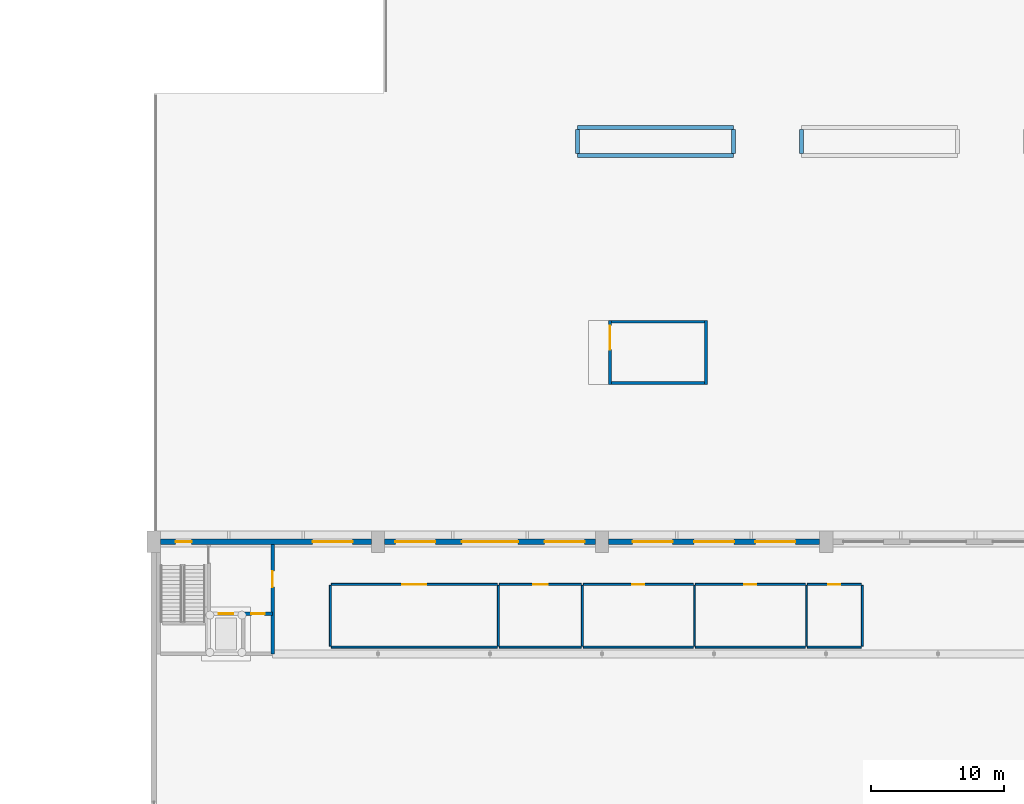
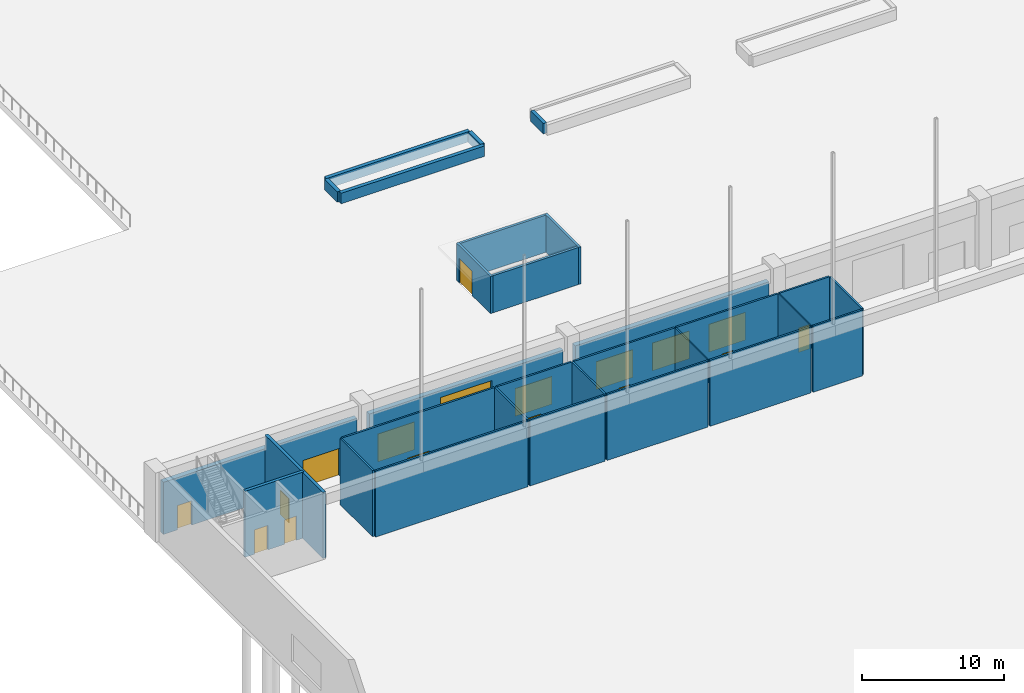
# One storey, part 115 of 210: 30 walls, 17 doors, 17 openings.
"""IFC4 building model written with IfcOpenShell, lengths in metres."""

import ifcopenshell
import ifcopenshell.guid

model = None  # the IFC model being written
_history = None  # IfcOwnerHistory: only IFC2X3 demands one
_inside = {}  # id of a spatial element -> (the spatial element, [elements in it])
_under = {}  # id of a project, library or spatial element -> (it, [spatial elements below it])
_declared = {}  # id of a project -> (the project, [libraries it declares])
_typed = {}  # id of a type object -> (the type object, [elements of that type])
_made_of = {}  # id of a material, layer set ... -> (it, [elements and type objects made of it])


def new_model(schema):
    """Start an empty IFC model of exactly this schema.

    Asked for "IFC4X3", IfcOpenShell would pick the latest addendum, in which some entities
    have other attributes; the version numbers below select the first issue.
    IFC2X3 requires an IfcOwnerHistory on every rooted entity: one is made here for all.
    """
    global model, _history
    if schema == "IFC4X3":
        model = ifcopenshell.file(schema_version=(4, 3, 0, 0))
    else:
        model = ifcopenshell.file(schema=schema)
    _inside.clear()
    _under.clear()
    _declared.clear()
    _typed.clear()
    _made_of.clear()
    _history = None
    if model.schema == "IFC2X3":
        org = make("IfcOrganization", Name="unknown")
        user = make(
            "IfcPersonAndOrganization",
            ThePerson=make("IfcPerson", FamilyName="unknown"),
            TheOrganization=org,
        )
        app = make(
            "IfcApplication",
            ApplicationDeveloper=org,
            Version="unknown",
            ApplicationFullName="unknown",
            ApplicationIdentifier="unknown",
        )
        _history = make(
            "IfcOwnerHistory",
            OwningUser=user,
            OwningApplication=app,
            ChangeAction="ADDED",
            CreationDate=0,
        )
    return model


def make(cls, **values):
    """One entity of the class cls with the attributes given. An attribute that is None is left unset."""
    return model.create_entity(
        cls, **{name: value for name, value in values.items() if value is not None}
    )


def rooted(cls, **values):
    """An entity with a GlobalId (a new one), such as an element, a storey or a relation."""
    return make(cls, GlobalId=ifcopenshell.guid.new(), OwnerHistory=_history, **values)


def si_unit(unit_type, name, prefix=None):
    """IfcSIUnit, for example si_unit("LENGTHUNIT", "METRE", prefix="MILLI")."""
    return make("IfcSIUnit", UnitType=unit_type, Prefix=prefix, Name=name)


def assignment(units):
    """IfcUnitAssignment: the units of a project."""
    return None if units is None else make("IfcUnitAssignment", Units=units)


def point(xyz):
    """IfcCartesianPoint."""
    return None if xyz is None else make("IfcCartesianPoint", Coordinates=xyz)


def direction(xyz):
    """IfcDirection."""
    return None if xyz is None else make("IfcDirection", DirectionRatios=xyz)


def frame(location, z_axis=None, x_axis=None):
    """IfcAxis2Placement3D, a coordinate frame: its origin and axes. An axis left out is left unset."""
    return make(
        "IfcAxis2Placement3D",
        Location=point(location),
        Axis=direction(z_axis),
        RefDirection=direction(x_axis),
    )


def frame_2d(location, x_axis=None):
    """IfcAxis2Placement2D, a coordinate frame in the plane: its origin and x axis."""
    return make(
        "IfcAxis2Placement2D", Location=point(location), RefDirection=direction(x_axis)
    )


def origin():
    """The frame at (0, 0, 0) with its axes left unset."""
    return frame((0.0, 0.0, 0.0))


def place(relative_to, where):
    """IfcLocalPlacement: puts the frame where relative to a parent placement (None: the world)."""
    return make(
        "IfcLocalPlacement", PlacementRelTo=relative_to, RelativePlacement=where
    )


def context(
    kind, dimensions, precision=None, world=None, true_north=None, identifier=None
):
    """IfcGeometricRepresentationContext, for example the 3D "Model" context."""
    return make(
        "IfcGeometricRepresentationContext",
        ContextIdentifier=identifier,
        ContextType=kind,
        CoordinateSpaceDimension=dimensions,
        Precision=precision,
        WorldCoordinateSystem=world,
        TrueNorth=true_north,
    )


def subcontext(parent, identifier, kind, view, scale=None):
    """IfcGeometricRepresentationSubContext, for example "Body" below "Model"."""
    return make(
        "IfcGeometricRepresentationSubContext",
        ContextIdentifier=identifier,
        ContextType=kind,
        ParentContext=parent,
        TargetScale=scale,
        TargetView=view,
    )


def project(units=None, contexts=None):
    """IfcProject with its units and contexts."""
    return rooted(
        "IfcProject",
        Name="project",
        RepresentationContexts=contexts,
        UnitsInContext=assignment(units),
    )


def spatial(cls, under=None, at=None, **own):
    """A site, building, storey or space (cls), placed at a placement, below another one or the project."""
    s = rooted(cls, ObjectPlacement=at, **own)
    if under is not None:
        _under.setdefault(under.id(), (under, []))[1].append(s)
    return s


def profile(cls, at=None, kind="AREA", **sizes):
    """A parametric profile (cls). Its sizes go by their IFC names, for example OverallWidth=200.0."""
    return make(cls, ProfileType=kind, Position=at, **sizes)


def rectangle(**sizes):
    """IfcRectangleProfileDef."""
    return profile("IfcRectangleProfileDef", **sizes)


def extrude(swept, where, along, depth):
    """IfcExtrudedAreaSolid: the profile swept, set in the frame where, extruded along a direction by depth."""
    return make(
        "IfcExtrudedAreaSolid",
        SweptArea=swept,
        Position=where,
        ExtrudedDirection=direction(along),
        Depth=depth,
    )


def shape(context_of_items, identifier, shape_type, items):
    """IfcShapeRepresentation: the items that make up one representation, for example the "Body"."""
    return make(
        "IfcShapeRepresentation",
        ContextOfItems=context_of_items,
        RepresentationIdentifier=identifier,
        RepresentationType=shape_type,
        Items=items,
    )


def material(Name=None, Category=None):
    """IfcMaterial."""
    return make("IfcMaterial", Name=Name, Category=Category)


def layer(
    of_material, thickness, ventilated=None, Name=None, Category=None, Priority=None
):
    """IfcMaterialLayer: one layer of a wall or slab, of a material (None: an air gap)."""
    return make(
        "IfcMaterialLayer",
        Material=of_material,
        LayerThickness=thickness,
        IsVentilated=ventilated,
        Name=Name,
        Category=Category,
        Priority=Priority,
    )


def layer_set(layers, Name=None):
    """IfcMaterialLayerSet."""
    return make("IfcMaterialLayerSet", MaterialLayers=layers, LayerSetName=Name)


def made_of(thing, what):
    """Note that an element or type object is made of a material, layer set ...; save() writes the relation."""
    if what is not None:
        _made_of.setdefault(what.id(), (what, []))[1].append(thing)
    return thing


def type_object(cls, material=None, **own):
    """A type object (cls), such as IfcWallType, which elements share."""
    return made_of(rooted(cls, **own), material)


def element(
    cls,
    number,
    at=None,
    inside=None,
    cuts=None,
    type_object=None,
    material=None,
    context=None,
    identifier="Body",
    shape_type=None,
    held_by="IfcProductDefinitionShape",
    body=None,
    shapes=None,
    **own,
):
    """One element of the class cls, such as IfcWall. Its Tag is "e" and its number.

    at: its placement. inside: the storey or other place that contains it. cuts: it is an
    opening in that element (IfcRelVoidsElement). A single representation is given by context,
    identifier, shape_type and body (its items); several are given by shapes. held_by: the class
    of the entity that holds the representations. save() writes the other relations.
    """
    e = rooted(cls, Tag="e%d" % number, ObjectPlacement=at, **own)
    if body is not None:
        shapes = [shape(context, identifier, shape_type, body)]
    if shapes is not None:
        e.Representation = make(held_by, Representations=shapes)
    if inside is not None:
        _inside.setdefault(inside.id(), (inside, []))[1].append(e)
    if cuts is not None:
        rooted(
            "IfcRelVoidsElement", RelatingBuildingElement=cuts, RelatedOpeningElement=e
        )
    if type_object is not None:
        _typed.setdefault(type_object.id(), (type_object, []))[1].append(e)
    return made_of(e, material)


def fill(opening, filler):
    """IfcRelFillsElement: the door or window that sits in an opening."""
    return rooted(
        "IfcRelFillsElement",
        RelatingOpeningElement=opening,
        RelatedBuildingElement=filler,
    )


def aggregate(whole, parts):
    """IfcRelAggregates: a whole, such as a stair, and the parts it consists of."""
    return rooted("IfcRelAggregates", RelatingObject=whole, RelatedObjects=parts)


def save(model, path):
    """Write the relations noted so far, then the file.

    IfcRelAggregates (storeys below a building ...), IfcRelContainedInSpatialStructure (elements
    in a storey), IfcRelDefinesByType, IfcRelAssociatesMaterial and IfcRelDeclares: one each for
    every whole, place, type object, material and project.
    """
    for whole, parts in _under.values():
        aggregate(whole, parts)
    for where, things in _inside.values():
        rooted(
            "IfcRelContainedInSpatialStructure",
            RelatedElements=things,
            RelatingStructure=where,
        )
    for kind, things in _typed.values():
        rooted("IfcRelDefinesByType", RelatedObjects=things, RelatingType=kind)
    for what, things in _made_of.values():
        rooted("IfcRelAssociatesMaterial", RelatedObjects=things, RelatingMaterial=what)
    for by, libraries in _declared.values():
        rooted("IfcRelDeclares", RelatingContext=by, RelatedDefinitions=libraries)
    model.write(path)


model = new_model("IFC4")

# Units and contexts
model_context = context("Model", 3, precision=1e-05, world=origin(), true_north=direction((0.0, 1.0)))
body_context = subcontext(model_context, "Body", "Model", "MODEL_VIEW")
ifc_project = project(units=[si_unit("LENGTHUNIT", "METRE"), si_unit("AREAUNIT", "SQUARE_METRE"), si_unit("VOLUMEUNIT", "CUBIC_METRE"), si_unit("PLANEANGLEUNIT", "RADIAN"), si_unit("MASSUNIT", "GRAM", prefix="KILO")], contexts=[model_context])

# Site, building, storey
site_placement = place(None, origin())
site = spatial("IfcSite", under=ifc_project, at=site_placement, CompositionType="ELEMENT")
building_placement = place(site_placement, origin())
building = spatial("IfcBuilding", under=site, at=building_placement, Name="Rain Tree Exposition and Congress Centre", CompositionType="ELEMENT")
storey_placement = place(building_placement, origin())
storey = spatial("IfcBuildingStorey", under=building, at=storey_placement, Name="L00", CompositionType="ELEMENT", Elevation=0.0)

# Wall, opening, door
ifc_material_1 = material(Name="Concrete C40/50", Category="concrete")
ifc_layer_1 = layer(ifc_material_1, 0.25)
ifc_layer_set_1 = layer_set([ifc_layer_1], Name="Concrete C40/50")
wall_type_1 = type_object("IfcWallType", Name="Core wall 250", PredefinedType="SHEAR", material=ifc_layer_set_1)
wall_1_placement = place(storey_placement, frame((17.300048828125, 201.39990234375, 0.0), z_axis=(0.0, 0.0, 1.0), x_axis=(0.0, -1.0, 0.0)))
wall_1 = element("IfcWall", 1, at=wall_1_placement, inside=storey, type_object=wall_type_1, Name="Core east wall 3", PredefinedType="SHEAR", context=body_context, shape_type="SweptSolid", body=[
    extrude(rectangle(XDim=8.199951171875, YDim=0.25, at=frame_2d((4.10009765625, 0.0))), origin(), (0.0, 0.0, 1.0), 5.699951171875),
])
opening_1_placement = place(wall_1_placement, frame((2.0, 0.0, 0.0)))
opening_1 = element("IfcOpeningElement", 2, at=opening_1_placement, cuts=wall_1, Name="Opening DH198", PredefinedType="OPENING", context=body_context, shape_type="SweptSolid", body=[
    extrude(rectangle(XDim=1.199951171875, YDim=2.10009765625, at=frame_2d((0.60009765625, 1.050048828125))), frame((0.0, 0.125, 0.0), z_axis=(0.0, -1.0, 0.0), x_axis=(1.0, 0.0, 0.0)), (0.0, 0.0, 1.0), 0.25),
])
ifc_material_2 = material(Name="Painted steel fire door", Category="steel")
door_type_1 = type_object("IfcDoorType", Name="Lobby fire door 1200x2100", OperationType="NOTDEFINED", PredefinedType="DOOR", material=ifc_material_2)
door_1_placement = place(opening_1_placement, origin())
door_1 = element("IfcDoor", 3, at=door_1_placement, inside=storey, type_object=door_type_1, Name="Door DH198", OperationType="SINGLE_SWING_LEFT", OverallHeight=2.10009765625, OverallWidth=1.199951171875, PredefinedType="DOOR", context=body_context, shape_type="SweptSolid", body=[
    extrude(rectangle(XDim=1.199951171875, YDim=2.10009765625, at=frame_2d((0.60009765625, 1.050048828125))), frame((0.0, 0.02490234375, 0.0), z_axis=(0.0, -1.0, 0.0), x_axis=(1.0, 0.0, 0.0)), (0.0, 0.0, 1.0), 0.050048828125),
])
fill(opening_1, door_1)

# Wall, openings, doors
wall_2_placement = place(storey_placement, frame((12.5, 196.199951171875, 0.0), z_axis=(0.0, 0.0, 1.0), x_axis=(1.0, 0.0, 0.0)))
wall_2 = element("IfcWall", 4, at=wall_2_placement, inside=storey, type_object=wall_type_1, Name="Lift lobby wall 3", PredefinedType="SHEAR", context=body_context, shape_type="SweptSolid", body=[
    extrude(rectangle(XDim=4.800048828125, YDim=0.25, at=frame_2d((2.39990234375, 0.0))), origin(), (0.0, 0.0, 1.0), 5.699951171875),
])
opening_2_placement = place(wall_2_placement, frame((0.75, 0.0, 0.0)))
opening_2 = element("IfcOpeningElement", 5, at=opening_2_placement, cuts=wall_2, Name="Opening DH199", PredefinedType="OPENING", context=body_context, shape_type="SweptSolid", body=[
    extrude(rectangle(XDim=1.10009765625, YDim=2.10009765625, at=frame_2d((0.550048828125, 1.050048828125))), frame((0.0, 0.125, 0.0), z_axis=(0.0, -1.0, 0.0), x_axis=(1.0, 0.0, 0.0)), (0.0, 0.0, 1.0), 0.25),
])
opening_3_placement = place(wall_2_placement, frame((3.199951171875, 0.0, 0.0)))
opening_3 = element("IfcOpeningElement", 6, at=opening_3_placement, cuts=wall_2, Name="Opening DH200", PredefinedType="OPENING", context=body_context, shape_type="SweptSolid", body=[
    extrude(rectangle(XDim=1.0, YDim=2.10009765625, at=frame_2d((0.5, 1.050048828125))), frame((0.0, 0.125, 0.0), z_axis=(0.0, -1.0, 0.0), x_axis=(1.0, 0.0, 0.0)), (0.0, 0.0, 1.0), 0.25),
])
ifc_material_3 = material(Name="Stainless steel", Category="steel")
door_type_2 = type_object("IfcDoorType", Name="Lift landing door 1100x2100", OperationType="DOUBLE_DOOR_SLIDING", PredefinedType="DOOR", material=ifc_material_3)
door_2_placement = place(opening_2_placement, origin())
door_2 = element("IfcDoor", 7, at=door_2_placement, inside=storey, type_object=door_type_2, Name="Door DH199", OperationType="DOUBLE_DOOR_SLIDING", OverallHeight=2.10009765625, OverallWidth=1.10009765625, PredefinedType="DOOR", context=body_context, shape_type="SweptSolid", body=[
    extrude(rectangle(XDim=1.10009765625, YDim=2.10009765625, at=frame_2d((0.550048828125, 1.050048828125))), frame((0.0, 0.02490234375, 0.0), z_axis=(0.0, -1.0, 0.0), x_axis=(1.0, 0.0, 0.0)), (0.0, 0.0, 1.0), 0.050048828125),
])
fill(opening_2, door_2)
ifc_material_4 = material(Name="Painted steel door", Category="steel")
door_type_3 = type_object("IfcDoorType", Name="Single leaf door 1000x2100", OperationType="NOTDEFINED", PredefinedType="DOOR", material=ifc_material_4)
door_3_placement = place(opening_3_placement, origin())
door_3 = element("IfcDoor", 8, at=door_3_placement, inside=storey, type_object=door_type_3, Name="Door DH200", OperationType="SINGLE_SWING_RIGHT", OverallHeight=2.10009765625, OverallWidth=1.0, PredefinedType="DOOR", context=body_context, shape_type="SweptSolid", body=[
    extrude(rectangle(XDim=1.0, YDim=2.10009765625, at=frame_2d((0.5, 1.050048828125))), frame((0.0, 0.02490234375, 0.0), z_axis=(0.0, -1.0, 0.0), x_axis=(1.0, 0.0, 0.0)), (0.0, 0.0, 1.0), 0.050048828125),
])
fill(opening_3, door_3)

# Wall, opening, door
ifc_material_5 = material(Name="Concrete C40/50", Category="concrete")
ifc_layer_2 = layer(ifc_material_5, 0.199951171875)
ifc_layer_set_2 = layer_set([ifc_layer_2], Name="Concrete C40/50")
wall_type_2 = type_object("IfcWallType", Name="Exit stair wall 200", PredefinedType="PARTITIONING", material=ifc_layer_set_2)
wall_3_placement = place(storey_placement, frame((42.60009765625, 213.39990234375, 0.0), z_axis=(0.0, 0.0, 1.0), x_axis=(0.0, 1.0, 0.0)))
wall_3 = element("IfcWall", 9, at=wall_3_placement, inside=storey, type_object=wall_type_2, Name="Exit stair N01 wall west", PredefinedType="SOLIDWALL", context=body_context, shape_type="SweptSolid", body=[
    extrude(rectangle(XDim=4.800048828125, YDim=0.199951171875, at=frame_2d((2.39990234375, 0.0))), origin(), (0.0, 0.0, 1.0), 3.199951171875),
])
opening_4_placement = place(wall_3_placement, frame((2.60009765625, 0.0, 0.0)))
opening_4 = element("IfcOpeningElement", 10, at=opening_4_placement, cuts=wall_3, Name="Opening DS140", PredefinedType="OPENING", context=body_context, shape_type="SweptSolid", body=[
    extrude(rectangle(XDim=1.800048828125, YDim=2.10009765625, at=frame_2d((0.89990234375, 1.050048828125))), frame((0.0, 0.10009765625, 0.0), z_axis=(0.0, -1.0, 0.0), x_axis=(1.0, 0.0, 0.0)), (0.0, 0.0, 1.0), 0.199951171875),
])
ifc_material_6 = material(Name="Powder-coated steel", Category="steel")
door_type_4 = type_object("IfcDoorType", Name="Exit stair deck door 1800x2100", OperationType="NOTDEFINED", PredefinedType="DOOR", material=ifc_material_6)
door_4_placement = place(opening_4_placement, origin())
door_4 = element("IfcDoor", 11, at=door_4_placement, inside=storey, type_object=door_type_4, Name="Exit stair N01 door L00", OperationType="SINGLE_SWING_LEFT", OverallHeight=2.10009765625, OverallWidth=1.800048828125, PredefinedType="DOOR", context=body_context, shape_type="SweptSolid", body=[
    extrude(rectangle(XDim=1.800048828125, YDim=2.10009765625, at=frame_2d((0.89990234375, 1.050048828125))), frame((0.0, 0.02490234375, 0.0), z_axis=(0.0, -1.0, 0.0), x_axis=(1.0, 0.0, 0.0)), (0.0, 0.0, 1.0), 0.050048828125),
])
fill(opening_4, door_4)

# Walls
wall_4_placement = place(storey_placement, frame((49.800048828125, 213.39990234375, 0.0), z_axis=(0.0, 0.0, 1.0), x_axis=(0.0, 1.0, 0.0)))
element("IfcWall", 12, at=wall_4_placement, inside=storey, type_object=wall_type_2, Name="Exit stair N01 wall east", PredefinedType="SOLIDWALL", context=body_context, shape_type="SweptSolid", body=[
    extrude(rectangle(XDim=4.800048828125, YDim=0.199951171875, at=frame_2d((2.39990234375, 0.0))), origin(), (0.0, 0.0, 1.0), 3.199951171875),
])
for number, where, z_axis, x_axis, name in (
    (13, (42.699951171875, 213.5, 0.0), (0.0, 0.0, 1.0), (1.0, 0.0, 0.0), "Exit stair N01 wall south"),
    (14, (42.699951171875, 218.10009765625, 0.0), (0.0, 0.0, 1.0), (1.0, 0.0, 0.0), "Exit stair N01 wall north"),
):
    element("IfcWall", number, at=place(storey_placement, frame(where, z_axis=z_axis, x_axis=x_axis)), inside=storey, type_object=wall_type_2, Name=name, PredefinedType="SOLIDWALL", context=body_context, shape_type="SweptSolid", body=[
        extrude(rectangle(XDim=7.0, YDim=0.199951171875, at=frame_2d((3.5, 0.0))), origin(), (0.0, 0.0, 1.0), 3.199951171875),
    ])

# Wall, openings, doors
ifc_material_7 = material(Name="Precast concrete C50/60", Category="concrete")
ifc_layer_3 = layer(ifc_material_7, 0.39990234375)
ifc_layer_set_3 = layer_set([ifc_layer_3], Name="Precast concrete C50/60")
wall_type_3 = type_object("IfcWallType", Name="Hall precast wall 400", PredefinedType="STANDARD", material=ifc_layer_set_3)
wall_5_placement = place(storey_placement, frame((8.89990234375, 201.60009765625, 0.0), z_axis=(0.0, 0.0, 1.0), x_axis=(1.0, 0.0, 0.0)))
wall_5 = element("IfcWall", 15, at=wall_5_placement, inside=storey, type_object=wall_type_3, Name="Cladding wall N1", PredefinedType="STANDARD", context=body_context, shape_type="SweptSolid", body=[
    extrude(rectangle(XDim=15.800048828125, YDim=0.39990234375, at=frame_2d((7.89990234375, 0.0))), origin(), (0.0, 0.0, 1.0), 4.5),
])
opening_5_placement = place(wall_5_placement, frame((1.137451171875, 0.0, 0.0)))
opening_5 = element("IfcOpeningElement", 16, at=opening_5_placement, cuts=wall_5, Name="Opening DH113", PredefinedType="OPENING", context=body_context, shape_type="SweptSolid", body=[
    extrude(rectangle(XDim=1.199951171875, YDim=2.10009765625, at=frame_2d((0.60009765625, 1.050048828125))), frame((0.0, 0.199951171875, 0.0), z_axis=(0.0, -1.0, 0.0), x_axis=(1.0, 0.0, 0.0)), (0.0, 0.0, 1.0), 0.39990234375),
])
opening_6_placement = place(wall_5_placement, frame((11.39990234375, 0.0, 0.0)))
opening_6 = element("IfcOpeningElement", 17, at=opening_6_placement, cuts=wall_5, Name="Opening DH114", PredefinedType="OPENING", context=body_context, shape_type="SweptSolid", body=[
    extrude(rectangle(XDim=3.0, YDim=2.39990234375, at=frame_2d((1.5, 1.199951171875))), frame((0.0, 0.199951171875, 0.0), z_axis=(0.0, -1.0, 0.0), x_axis=(1.0, 0.0, 0.0)), (0.0, 0.0, 1.0), 0.39990234375),
])
ifc_material_8 = material(Name="Aluminium and glass", Category="aluminium")
door_type_5 = type_object("IfcDoorType", Name="Double glazed entrance door 3000x2400", OperationType="DOUBLE_DOOR_SINGLE_SWING", PredefinedType="DOOR", material=ifc_material_8)
door_5_placement = place(opening_6_placement, origin())
door_5 = element("IfcDoor", 18, at=door_5_placement, inside=storey, type_object=door_type_5, Name="Door DH114", OperationType="DOUBLE_DOOR_SINGLE_SWING", OverallHeight=2.39990234375, OverallWidth=3.0, PredefinedType="DOOR", context=body_context, shape_type="SweptSolid", body=[
    extrude(rectangle(XDim=3.0, YDim=2.39990234375, at=frame_2d((1.5, 1.199951171875))), frame((0.0, 0.02490234375, 0.0), z_axis=(0.0, -1.0, 0.0), x_axis=(1.0, 0.0, 0.0)), (0.0, 0.0, 1.0), 0.050048828125),
])
fill(opening_6, door_5)
ifc_material_9 = material(Name="Painted steel fire door", Category="steel")
door_type_6 = type_object("IfcDoorType", Name="Stair fire door 1200x2100", OperationType="NOTDEFINED", PredefinedType="DOOR", material=ifc_material_9)
door_6_placement = place(opening_5_placement, origin())
door_6 = element("IfcDoor", 19, at=door_6_placement, inside=storey, type_object=door_type_6, Name="Door DH113", OperationType="SINGLE_SWING_LEFT", OverallHeight=2.10009765625, OverallWidth=1.199951171875, PredefinedType="DOOR", context=body_context, shape_type="SweptSolid", body=[
    extrude(rectangle(XDim=1.199951171875, YDim=2.10009765625, at=frame_2d((0.60009765625, 1.050048828125))), frame((0.0, 0.02490234375, 0.0), z_axis=(0.0, -1.0, 0.0), x_axis=(1.0, 0.0, 0.0)), (0.0, 0.0, 1.0), 0.050048828125),
])
fill(opening_5, door_6)

wall_6_placement = place(storey_placement, frame((25.699951171875, 201.60009765625, 0.0), z_axis=(0.0, 0.0, 1.0), x_axis=(1.0, 0.0, 0.0)))
wall_6 = element("IfcWall", 20, at=wall_6_placement, inside=storey, type_object=wall_type_3, Name="Cladding wall N2", PredefinedType="STANDARD", context=body_context, shape_type="SweptSolid", body=[
    extrude(rectangle(XDim=15.800048828125, YDim=0.39990234375, at=frame_2d((7.89990234375, 0.0))), origin(), (0.0, 0.0, 1.0), 4.5),
])
opening_7_placement = place(wall_6_placement, frame((5.800048828125, 0.0, 0.0)))
opening_7 = element("IfcOpeningElement", 21, at=opening_7_placement, cuts=wall_6, Name="Opening DH115", PredefinedType="OPENING", context=body_context, shape_type="SweptSolid", body=[
    extrude(rectangle(XDim=4.199951171875, YDim=3.89990234375, at=frame_2d((2.10009765625, 1.949951171875))), frame((0.0, 0.199951171875, 0.0), z_axis=(0.0, -1.0, 0.0), x_axis=(1.0, 0.0, 0.0)), (0.0, 0.0, 1.0), 0.39990234375),
])
opening_8_placement = place(wall_6_placement, frame((0.800048828125, 0.0, 0.0)))
opening_8 = element("IfcOpeningElement", 22, at=opening_8_placement, cuts=wall_6, Name="Opening DH116", PredefinedType="OPENING", context=body_context, shape_type="SweptSolid", body=[
    extrude(rectangle(XDim=3.0, YDim=2.39990234375, at=frame_2d((1.5, 1.199951171875))), frame((0.0, 0.199951171875, 0.0), z_axis=(0.0, -1.0, 0.0), x_axis=(1.0, 0.0, 0.0)), (0.0, 0.0, 1.0), 0.39990234375),
])
opening_9_placement = place(wall_6_placement, frame((12.0, 0.0, 0.0)))
opening_9 = element("IfcOpeningElement", 23, at=opening_9_placement, cuts=wall_6, Name="Opening DH117", PredefinedType="OPENING", context=body_context, shape_type="SweptSolid", body=[
    extrude(rectangle(XDim=3.0, YDim=2.39990234375, at=frame_2d((1.5, 1.199951171875))), frame((0.0, 0.199951171875, 0.0), z_axis=(0.0, -1.0, 0.0), x_axis=(1.0, 0.0, 0.0)), (0.0, 0.0, 1.0), 0.39990234375),
])
door_7_placement = place(opening_8_placement, origin())
door_7 = element("IfcDoor", 24, at=door_7_placement, inside=storey, type_object=door_type_5, Name="Door DH116", OperationType="DOUBLE_DOOR_SINGLE_SWING", OverallHeight=2.39990234375, OverallWidth=3.0, PredefinedType="DOOR", context=body_context, shape_type="SweptSolid", body=[
    extrude(rectangle(XDim=3.0, YDim=2.39990234375, at=frame_2d((1.5, 1.199951171875))), frame((0.0, 0.02490234375, 0.0), z_axis=(0.0, -1.0, 0.0), x_axis=(1.0, 0.0, 0.0)), (0.0, 0.0, 1.0), 0.050048828125),
])
fill(opening_8, door_7)
door_8_placement = place(opening_9_placement, origin())
door_8 = element("IfcDoor", 25, at=door_8_placement, inside=storey, type_object=door_type_5, Name="Door DH117", OperationType="DOUBLE_DOOR_SINGLE_SWING", OverallHeight=2.39990234375, OverallWidth=3.0, PredefinedType="DOOR", context=body_context, shape_type="SweptSolid", body=[
    extrude(rectangle(XDim=3.0, YDim=2.39990234375, at=frame_2d((1.5, 1.199951171875))), frame((0.0, 0.02490234375, 0.0), z_axis=(0.0, -1.0, 0.0), x_axis=(1.0, 0.0, 0.0)), (0.0, 0.0, 1.0), 0.050048828125),
])
fill(opening_9, door_8)
ifc_material_10 = material(Name="Galvanised steel sectional door", Category="steel")
door_type_7 = type_object("IfcDoorType", Name="Sectional overhead dock door 4200x3900", OperationType="ROLLINGUP", PredefinedType="DOOR", material=ifc_material_10)
door_9_placement = place(opening_7_placement, origin())
door_9 = element("IfcDoor", 26, at=door_9_placement, inside=storey, type_object=door_type_7, Name="Door DH115", OperationType="ROLLINGUP", OverallHeight=3.89990234375, OverallWidth=4.199951171875, PredefinedType="DOOR", context=body_context, shape_type="SweptSolid", body=[
    extrude(rectangle(XDim=4.199951171875, YDim=3.89990234375, at=frame_2d((2.10009765625, 1.949951171875))), frame((0.0, 0.02490234375, 0.0), z_axis=(0.0, -1.0, 0.0), x_axis=(1.0, 0.0, 0.0)), (0.0, 0.0, 1.0), 0.050048828125),
])
fill(opening_7, door_9)

wall_7_placement = place(storey_placement, frame((42.5, 201.60009765625, 0.0), z_axis=(0.0, 0.0, 1.0), x_axis=(1.0, 0.0, 0.0)))
wall_7 = element("IfcWall", 27, at=wall_7_placement, inside=storey, type_object=wall_type_3, Name="Cladding wall N3", PredefinedType="STANDARD", context=body_context, shape_type="SweptSolid", body=[
    extrude(rectangle(XDim=15.800048828125, YDim=0.39990234375, at=frame_2d((7.89990234375, 0.0))), origin(), (0.0, 0.0, 1.0), 4.5),
])
opening_10_placement = place(wall_7_placement, frame((1.800048828125, 0.0, 0.0)))
opening_10 = element("IfcOpeningElement", 28, at=opening_10_placement, cuts=wall_7, Name="Opening DH118", PredefinedType="OPENING", context=body_context, shape_type="SweptSolid", body=[
    extrude(rectangle(XDim=3.0, YDim=2.39990234375, at=frame_2d((1.5, 1.199951171875))), frame((0.0, 0.199951171875, 0.0), z_axis=(0.0, -1.0, 0.0), x_axis=(1.0, 0.0, 0.0)), (0.0, 0.0, 1.0), 0.39990234375),
])
opening_11_placement = place(wall_7_placement, frame((6.39990234375, 0.0, 0.0)))
opening_11 = element("IfcOpeningElement", 29, at=opening_11_placement, cuts=wall_7, Name="Opening DH119", PredefinedType="OPENING", context=body_context, shape_type="SweptSolid", body=[
    extrude(rectangle(XDim=3.0, YDim=2.39990234375, at=frame_2d((1.5, 1.199951171875))), frame((0.0, 0.199951171875, 0.0), z_axis=(0.0, -1.0, 0.0), x_axis=(1.0, 0.0, 0.0)), (0.0, 0.0, 1.0), 0.39990234375),
])
opening_12_placement = place(wall_7_placement, frame((11.0, 0.0, 0.0)))
opening_12 = element("IfcOpeningElement", 30, at=opening_12_placement, cuts=wall_7, Name="Opening DH120", PredefinedType="OPENING", context=body_context, shape_type="SweptSolid", body=[
    extrude(rectangle(XDim=3.0, YDim=2.39990234375, at=frame_2d((1.5, 1.199951171875))), frame((0.0, 0.199951171875, 0.0), z_axis=(0.0, -1.0, 0.0), x_axis=(1.0, 0.0, 0.0)), (0.0, 0.0, 1.0), 0.39990234375),
])
door_10_placement = place(opening_10_placement, origin())
door_10 = element("IfcDoor", 31, at=door_10_placement, inside=storey, type_object=door_type_5, Name="Door DH118", OperationType="DOUBLE_DOOR_SINGLE_SWING", OverallHeight=2.39990234375, OverallWidth=3.0, PredefinedType="DOOR", context=body_context, shape_type="SweptSolid", body=[
    extrude(rectangle(XDim=3.0, YDim=2.39990234375, at=frame_2d((1.5, 1.199951171875))), frame((0.0, 0.02490234375, 0.0), z_axis=(0.0, -1.0, 0.0), x_axis=(1.0, 0.0, 0.0)), (0.0, 0.0, 1.0), 0.050048828125),
])
fill(opening_10, door_10)
door_11_placement = place(opening_11_placement, origin())
door_11 = element("IfcDoor", 32, at=door_11_placement, inside=storey, type_object=door_type_5, Name="Door DH119", OperationType="DOUBLE_DOOR_SINGLE_SWING", OverallHeight=2.39990234375, OverallWidth=3.0, PredefinedType="DOOR", context=body_context, shape_type="SweptSolid", body=[
    extrude(rectangle(XDim=3.0, YDim=2.39990234375, at=frame_2d((1.5, 1.199951171875))), frame((0.0, 0.02490234375, 0.0), z_axis=(0.0, -1.0, 0.0), x_axis=(1.0, 0.0, 0.0)), (0.0, 0.0, 1.0), 0.050048828125),
])
fill(opening_11, door_11)
door_12_placement = place(opening_12_placement, origin())
door_12 = element("IfcDoor", 33, at=door_12_placement, inside=storey, type_object=door_type_5, Name="Door DH120", OperationType="DOUBLE_DOOR_SINGLE_SWING", OverallHeight=2.39990234375, OverallWidth=3.0, PredefinedType="DOOR", context=body_context, shape_type="SweptSolid", body=[
    extrude(rectangle(XDim=3.0, YDim=2.39990234375, at=frame_2d((1.5, 1.199951171875))), frame((0.0, 0.02490234375, 0.0), z_axis=(0.0, -1.0, 0.0), x_axis=(1.0, 0.0, 0.0)), (0.0, 0.0, 1.0), 0.050048828125),
])
fill(opening_12, door_12)

# Walls
ifc_material_11 = material(Name="Concrete C40/50", Category="concrete")
ifc_layer_4 = layer(ifc_material_11, 0.300048828125)
ifc_layer_set_4 = layer_set([ifc_layer_4], Name="Concrete C40/50")
wall_type_4 = type_object("IfcWallType", Name="Precast planter wall 300", PredefinedType="SOLIDWALL", material=ifc_layer_set_4)
for number, where, z_axis, x_axis, name in (
    (34, (40.14990234375, 230.550048828125, 0.0), (0.0, 0.0, 1.0), (1.0, 0.0, 0.0), "Dock apron planter wall"),
    (35, (40.14990234375, 232.64990234375, 0.0), (0.0, 0.0, 1.0), (1.0, 0.0, 0.0), "Dock apron planter wall"),
):
    element("IfcWall", number, at=place(storey_placement, frame(where, z_axis=z_axis, x_axis=x_axis)), inside=storey, type_object=wall_type_4, Name=name, PredefinedType="SOLIDWALL", context=body_context, shape_type="SweptSolid", body=[
        extrude(rectangle(XDim=11.7001953125, YDim=0.300048828125, at=frame_2d((5.85009765625, 0.0))), origin(), (0.0, 0.0, 1.0), 0.89990234375),
    ])
for number, where, z_axis, x_axis, name in (
    (36, (40.14990234375, 230.699951171875, 0.0), (0.0, 0.0, 1.0), (0.0, 1.0, 0.0), "Dock apron planter wall"),
    (37, (51.85009765625, 230.699951171875, 0.0), (0.0, 0.0, 1.0), (0.0, 1.0, 0.0), "Dock apron planter wall"),
    (38, (56.949951171875, 230.699951171875, 0.0), (0.0, 0.0, 1.0), (0.0, 1.0, 0.0), "Dock apron planter wall"),
):
    element("IfcWall", number, at=place(storey_placement, frame(where, z_axis=z_axis, x_axis=x_axis)), inside=storey, type_object=wall_type_4, Name=name, PredefinedType="SOLIDWALL", context=body_context, shape_type="SweptSolid", body=[
        extrude(rectangle(XDim=1.800048828125, YDim=0.300048828125, at=frame_2d((0.89990234375, 0.0))), origin(), (0.0, 0.0, 1.0), 0.89990234375),
    ])
ifc_material_12 = material(Name="Concrete C25/30", Category="concrete")
ifc_layer_5 = layer(ifc_material_12, 0.14990234375)
ifc_layer_set_5 = layer_set([ifc_layer_5], Name="Concrete C25/30")
wall_type_5 = type_object("IfcWallType", Name="Visitor room partition 150", PredefinedType="PARTITIONING", material=ifc_layer_set_5)
wall_8_placement = place(storey_placement, frame((21.699951171875, 193.699951171875, 0.0), z_axis=(0.0, 0.0, 1.0), x_axis=(1.0, 0.0, 0.0)))
element("IfcWall", 39, at=wall_8_placement, inside=storey, type_object=wall_type_5, Name="Cloakroom wall S", PredefinedType="PARTITIONING", context=body_context, shape_type="SweptSolid", body=[
    extrude(rectangle(XDim=12.449951171875, YDim=0.14990234375, at=frame_2d((6.22509765625, 0.0))), origin(), (0.0, 0.0, 1.0), 5.699951171875),
])

# Wall, opening, door
wall_9_placement = place(storey_placement, frame((21.699951171875, 198.39990234375, 0.0), z_axis=(0.0, 0.0, 1.0), x_axis=(1.0, 0.0, 0.0)))
wall_9 = element("IfcWall", 40, at=wall_9_placement, inside=storey, type_object=wall_type_5, Name="Cloakroom wall N", PredefinedType="PARTITIONING", context=body_context, shape_type="SweptSolid", body=[
    extrude(rectangle(XDim=12.449951171875, YDim=0.14990234375, at=frame_2d((6.22509765625, 0.0))), origin(), (0.0, 0.0, 1.0), 5.699951171875),
])
opening_13_placement = place(wall_9_placement, frame((5.324951171875, 0.0, 0.0)))
opening_13 = element("IfcOpeningElement", 41, at=opening_13_placement, cuts=wall_9, Name="Opening DH245", PredefinedType="OPENING", context=body_context, shape_type="SweptSolid", body=[
    extrude(rectangle(XDim=1.800048828125, YDim=2.10009765625, at=frame_2d((0.89990234375, 1.050048828125))), frame((0.0, 0.074951171875, 0.0), z_axis=(0.0, -1.0, 0.0), x_axis=(1.0, 0.0, 0.0)), (0.0, 0.0, 1.0), 0.14990234375),
])
ifc_material_13 = material(Name="Painted steel door", Category="steel")
door_type_8 = type_object("IfcDoorType", Name="Cloakroom door pair 1800x2100", OperationType="DOUBLE_DOOR_SINGLE_SWING", PredefinedType="DOOR", material=ifc_material_13)
door_13_placement = place(opening_13_placement, origin())
door_13 = element("IfcDoor", 42, at=door_13_placement, inside=storey, type_object=door_type_8, Name="Door DH245", OperationType="DOUBLE_DOOR_SINGLE_SWING", OverallHeight=2.10009765625, OverallWidth=1.800048828125, PredefinedType="DOOR", context=body_context, shape_type="SweptSolid", body=[
    extrude(rectangle(XDim=1.800048828125, YDim=2.10009765625, at=frame_2d((0.89990234375, 1.050048828125))), frame((0.0, 0.02490234375, 0.0), z_axis=(0.0, -1.0, 0.0), x_axis=(1.0, 0.0, 0.0)), (0.0, 0.0, 1.0), 0.050048828125),
])
fill(opening_13, door_13)

# Wall
wall_10_placement = place(storey_placement, frame((34.300048828125, 193.699951171875, 0.0), z_axis=(0.0, 0.0, 1.0), x_axis=(1.0, 0.0, 0.0)))
element("IfcWall", 43, at=wall_10_placement, inside=storey, type_object=wall_type_5, Name="First Aid Room wall S", PredefinedType="PARTITIONING", context=body_context, shape_type="SweptSolid", body=[
    extrude(rectangle(XDim=6.14990234375, YDim=0.14990234375, at=frame_2d((3.074951171875, 0.0))), origin(), (0.0, 0.0, 1.0), 5.699951171875),
])

# Wall, opening, door
wall_11_placement = place(storey_placement, frame((34.300048828125, 198.39990234375, 0.0), z_axis=(0.0, 0.0, 1.0), x_axis=(1.0, 0.0, 0.0)))
wall_11 = element("IfcWall", 44, at=wall_11_placement, inside=storey, type_object=wall_type_5, Name="First Aid Room wall N", PredefinedType="PARTITIONING", context=body_context, shape_type="SweptSolid", body=[
    extrude(rectangle(XDim=6.14990234375, YDim=0.14990234375, at=frame_2d((3.074951171875, 0.0))), origin(), (0.0, 0.0, 1.0), 5.699951171875),
])
opening_14_placement = place(wall_11_placement, frame((2.52490234375, 0.0, 0.0)))
opening_14 = element("IfcOpeningElement", 45, at=opening_14_placement, cuts=wall_11, Name="Opening DH246", PredefinedType="OPENING", context=body_context, shape_type="SweptSolid", body=[
    extrude(rectangle(XDim=1.10009765625, YDim=2.10009765625, at=frame_2d((0.550048828125, 1.050048828125))), frame((0.0, 0.074951171875, 0.0), z_axis=(0.0, -1.0, 0.0), x_axis=(1.0, 0.0, 0.0)), (0.0, 0.0, 1.0), 0.14990234375),
])
ifc_material_14 = material(Name="Painted steel door", Category="steel")
door_type_9 = type_object("IfcDoorType", Name="First aid door 1100x2100", OperationType="NOTDEFINED", PredefinedType="DOOR", material=ifc_material_14)
door_14_placement = place(opening_14_placement, origin())
door_14 = element("IfcDoor", 46, at=door_14_placement, inside=storey, type_object=door_type_9, Name="Door DH246", OperationType="SINGLE_SWING_LEFT", OverallHeight=2.10009765625, OverallWidth=1.10009765625, PredefinedType="DOOR", context=body_context, shape_type="SweptSolid", body=[
    extrude(rectangle(XDim=1.10009765625, YDim=2.10009765625, at=frame_2d((0.550048828125, 1.050048828125))), frame((0.0, 0.02490234375, 0.0), z_axis=(0.0, -1.0, 0.0), x_axis=(1.0, 0.0, 0.0)), (0.0, 0.0, 1.0), 0.050048828125),
])
fill(opening_14, door_14)

# Wall
wall_12_placement = place(storey_placement, frame((40.60009765625, 193.699951171875, 0.0), z_axis=(0.0, 0.0, 1.0), x_axis=(1.0, 0.0, 0.0)))
element("IfcWall", 47, at=wall_12_placement, inside=storey, type_object=wall_type_5, Name="Women's WC wall S", PredefinedType="PARTITIONING", context=body_context, shape_type="SweptSolid", body=[
    extrude(rectangle(XDim=8.25, YDim=0.14990234375, at=frame_2d((4.125, 0.0))), origin(), (0.0, 0.0, 1.0), 5.699951171875),
])

# Wall, opening, door
wall_13_placement = place(storey_placement, frame((40.60009765625, 198.39990234375, 0.0), z_axis=(0.0, 0.0, 1.0), x_axis=(1.0, 0.0, 0.0)))
wall_13 = element("IfcWall", 48, at=wall_13_placement, inside=storey, type_object=wall_type_5, Name="Women's WC wall N", PredefinedType="PARTITIONING", context=body_context, shape_type="SweptSolid", body=[
    extrude(rectangle(XDim=8.25, YDim=0.14990234375, at=frame_2d((4.125, 0.0))), origin(), (0.0, 0.0, 1.0), 5.699951171875),
])
opening_15_placement = place(wall_13_placement, frame((3.675048828125, 0.0, 0.0)))
opening_15 = element("IfcOpeningElement", 49, at=opening_15_placement, cuts=wall_13, Name="Opening DH247", PredefinedType="OPENING", context=body_context, shape_type="SweptSolid", body=[
    extrude(rectangle(XDim=0.89990234375, YDim=2.10009765625, at=frame_2d((0.449951171875, 1.050048828125))), frame((0.0, 0.074951171875, 0.0), z_axis=(0.0, -1.0, 0.0), x_axis=(1.0, 0.0, 0.0)), (0.0, 0.0, 1.0), 0.14990234375),
])
ifc_material_15 = material(Name="Painted steel door", Category="steel")
door_type_10 = type_object("IfcDoorType", Name="Toilet door 900x2100", OperationType="NOTDEFINED", PredefinedType="DOOR", material=ifc_material_15)
door_15_placement = place(opening_15_placement, origin())
door_15 = element("IfcDoor", 50, at=door_15_placement, inside=storey, type_object=door_type_10, Name="Door DH247", OperationType="SINGLE_SWING_RIGHT", OverallHeight=2.10009765625, OverallWidth=0.89990234375, PredefinedType="DOOR", context=body_context, shape_type="SweptSolid", body=[
    extrude(rectangle(XDim=0.89990234375, YDim=2.10009765625, at=frame_2d((0.449951171875, 1.050048828125))), frame((0.0, 0.02490234375, 0.0), z_axis=(0.0, -1.0, 0.0), x_axis=(1.0, 0.0, 0.0)), (0.0, 0.0, 1.0), 0.050048828125),
])
fill(opening_15, door_15)

# Wall
wall_14_placement = place(storey_placement, frame((49.0, 193.699951171875, 0.0), z_axis=(0.0, 0.0, 1.0), x_axis=(1.0, 0.0, 0.0)))
element("IfcWall", 51, at=wall_14_placement, inside=storey, type_object=wall_type_5, Name="Men's WC wall S", PredefinedType="PARTITIONING", context=body_context, shape_type="SweptSolid", body=[
    extrude(rectangle(XDim=8.25, YDim=0.14990234375, at=frame_2d((4.125, 0.0))), origin(), (0.0, 0.0, 1.0), 5.699951171875),
])

# Wall, opening, door
wall_15_placement = place(storey_placement, frame((49.0, 198.39990234375, 0.0), z_axis=(0.0, 0.0, 1.0), x_axis=(1.0, 0.0, 0.0)))
wall_15 = element("IfcWall", 52, at=wall_15_placement, inside=storey, type_object=wall_type_5, Name="Men's WC wall N", PredefinedType="PARTITIONING", context=body_context, shape_type="SweptSolid", body=[
    extrude(rectangle(XDim=8.25, YDim=0.14990234375, at=frame_2d((4.125, 0.0))), origin(), (0.0, 0.0, 1.0), 5.699951171875),
])
opening_16_placement = place(wall_15_placement, frame((3.675048828125, 0.0, 0.0)))
opening_16 = element("IfcOpeningElement", 53, at=opening_16_placement, cuts=wall_15, Name="Opening DH248", PredefinedType="OPENING", context=body_context, shape_type="SweptSolid", body=[
    extrude(rectangle(XDim=0.89990234375, YDim=2.10009765625, at=frame_2d((0.449951171875, 1.050048828125))), frame((0.0, 0.074951171875, 0.0), z_axis=(0.0, -1.0, 0.0), x_axis=(1.0, 0.0, 0.0)), (0.0, 0.0, 1.0), 0.14990234375),
])
door_16_placement = place(opening_16_placement, origin())
door_16 = element("IfcDoor", 54, at=door_16_placement, inside=storey, type_object=door_type_10, Name="Door DH248", OperationType="SINGLE_SWING_LEFT", OverallHeight=2.10009765625, OverallWidth=0.89990234375, PredefinedType="DOOR", context=body_context, shape_type="SweptSolid", body=[
    extrude(rectangle(XDim=0.89990234375, YDim=2.10009765625, at=frame_2d((0.449951171875, 1.050048828125))), frame((0.0, 0.02490234375, 0.0), z_axis=(0.0, -1.0, 0.0), x_axis=(1.0, 0.0, 0.0)), (0.0, 0.0, 1.0), 0.050048828125),
])
fill(opening_16, door_16)

# Wall
wall_16_placement = place(storey_placement, frame((57.39990234375, 193.699951171875, 0.0), z_axis=(0.0, 0.0, 1.0), x_axis=(1.0, 0.0, 0.0)))
element("IfcWall", 55, at=wall_16_placement, inside=storey, type_object=wall_type_5, Name="Accessible WC wall S", PredefinedType="PARTITIONING", context=body_context, shape_type="SweptSolid", body=[
    extrude(rectangle(XDim=4.050048828125, YDim=0.14990234375, at=frame_2d((2.02490234375, 0.0))), origin(), (0.0, 0.0, 1.0), 5.699951171875),
])

# Wall, opening, door
wall_17_placement = place(storey_placement, frame((57.39990234375, 198.39990234375, 0.0), z_axis=(0.0, 0.0, 1.0), x_axis=(1.0, 0.0, 0.0)))
wall_17 = element("IfcWall", 56, at=wall_17_placement, inside=storey, type_object=wall_type_5, Name="Accessible WC wall N", PredefinedType="PARTITIONING", context=body_context, shape_type="SweptSolid", body=[
    extrude(rectangle(XDim=4.050048828125, YDim=0.14990234375, at=frame_2d((2.02490234375, 0.0))), origin(), (0.0, 0.0, 1.0), 5.699951171875),
])
opening_17_placement = place(wall_17_placement, frame((1.574951171875, 0.0, 0.0)))
opening_17 = element("IfcOpeningElement", 57, at=opening_17_placement, cuts=wall_17, Name="Opening DH249", PredefinedType="OPENING", context=body_context, shape_type="SweptSolid", body=[
    extrude(rectangle(XDim=0.89990234375, YDim=2.10009765625, at=frame_2d((0.449951171875, 1.050048828125))), frame((0.0, 0.074951171875, 0.0), z_axis=(0.0, -1.0, 0.0), x_axis=(1.0, 0.0, 0.0)), (0.0, 0.0, 1.0), 0.14990234375),
])
door_17_placement = place(opening_17_placement, origin())
door_17 = element("IfcDoor", 58, at=door_17_placement, inside=storey, type_object=door_type_10, Name="Door DH249", OperationType="SINGLE_SWING_RIGHT", OverallHeight=2.10009765625, OverallWidth=0.89990234375, PredefinedType="DOOR", context=body_context, shape_type="SweptSolid", body=[
    extrude(rectangle(XDim=0.89990234375, YDim=2.10009765625, at=frame_2d((0.449951171875, 1.050048828125))), frame((0.0, 0.02490234375, 0.0), z_axis=(0.0, -1.0, 0.0), x_axis=(1.0, 0.0, 0.0)), (0.0, 0.0, 1.0), 0.050048828125),
])
fill(opening_17, door_17)

# Walls
for number, where, z_axis, x_axis, name in (
    (59, (21.625, 193.77490234375, 0.0), (0.0, 0.0, 1.0), (0.0, 1.0, 0.0), "Visitor room party wall 1"),
    (60, (34.22509765625, 193.77490234375, 0.0), (0.0, 0.0, 1.0), (0.0, 1.0, 0.0), "Visitor room party wall 2"),
    (61, (40.52490234375, 193.77490234375, 0.0), (0.0, 0.0, 1.0), (0.0, 1.0, 0.0), "Visitor room party wall 3"),
    (62, (61.52490234375, 193.77490234375, 0.0), (0.0, 0.0, 1.0), (0.0, 1.0, 0.0), "Visitor room party wall 6"),
):
    element("IfcWall", number, at=place(storey_placement, frame(where, z_axis=z_axis, x_axis=x_axis)), inside=storey, type_object=wall_type_5, Name=name, PredefinedType="PARTITIONING", context=body_context, shape_type="SweptSolid", body=[
        extrude(rectangle(XDim=4.550048828125, YDim=0.14990234375, at=frame_2d((2.27490234375, 0.0))), origin(), (0.0, 0.0, 1.0), 5.699951171875),
    ])
ifc_material_16 = material(Name="Concrete C25/30", Category="concrete")
ifc_layer_6 = layer(ifc_material_16, 0.10009765625)
ifc_layer_set_6 = layer_set([ifc_layer_6], Name="Concrete C25/30")
wall_type_6 = type_object("IfcWallType", Name="Wet room partition 100", PredefinedType="PARTITIONING", material=ifc_layer_set_6)
for number, where, z_axis, x_axis, name in (
    (63, (48.925048828125, 193.77490234375, 0.0), (0.0, 0.0, 1.0), (0.0, 1.0, 0.0), "Visitor room party wall 4"),
    (64, (57.324951171875, 193.77490234375, 0.0), (0.0, 0.0, 1.0), (0.0, 1.0, 0.0), "Visitor room party wall 5"),
):
    element("IfcWall", number, at=place(storey_placement, frame(where, z_axis=z_axis, x_axis=x_axis)), inside=storey, type_object=wall_type_6, Name=name, PredefinedType="PARTITIONING", context=body_context, shape_type="SweptSolid", body=[
        extrude(rectangle(XDim=4.550048828125, YDim=0.10009765625, at=frame_2d((2.27490234375, 0.0))), origin(), (0.0, 0.0, 1.0), 5.699951171875),
    ])

save(model, "model.ifc")
